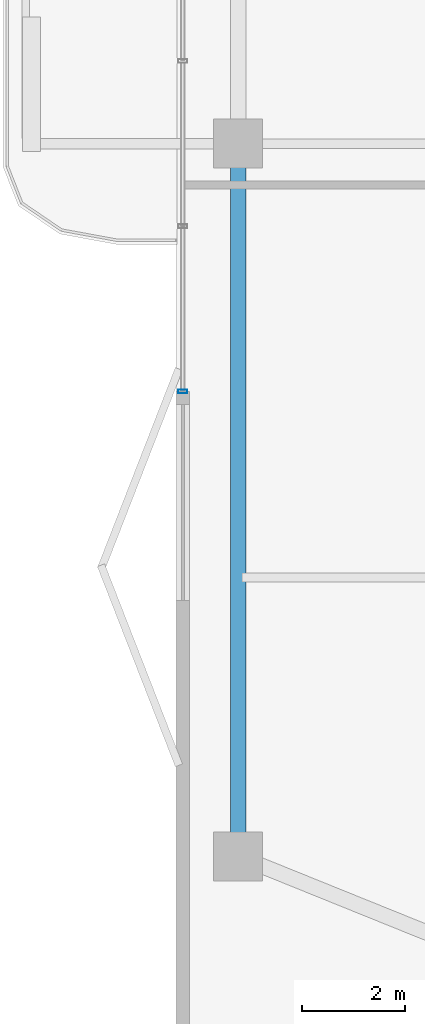
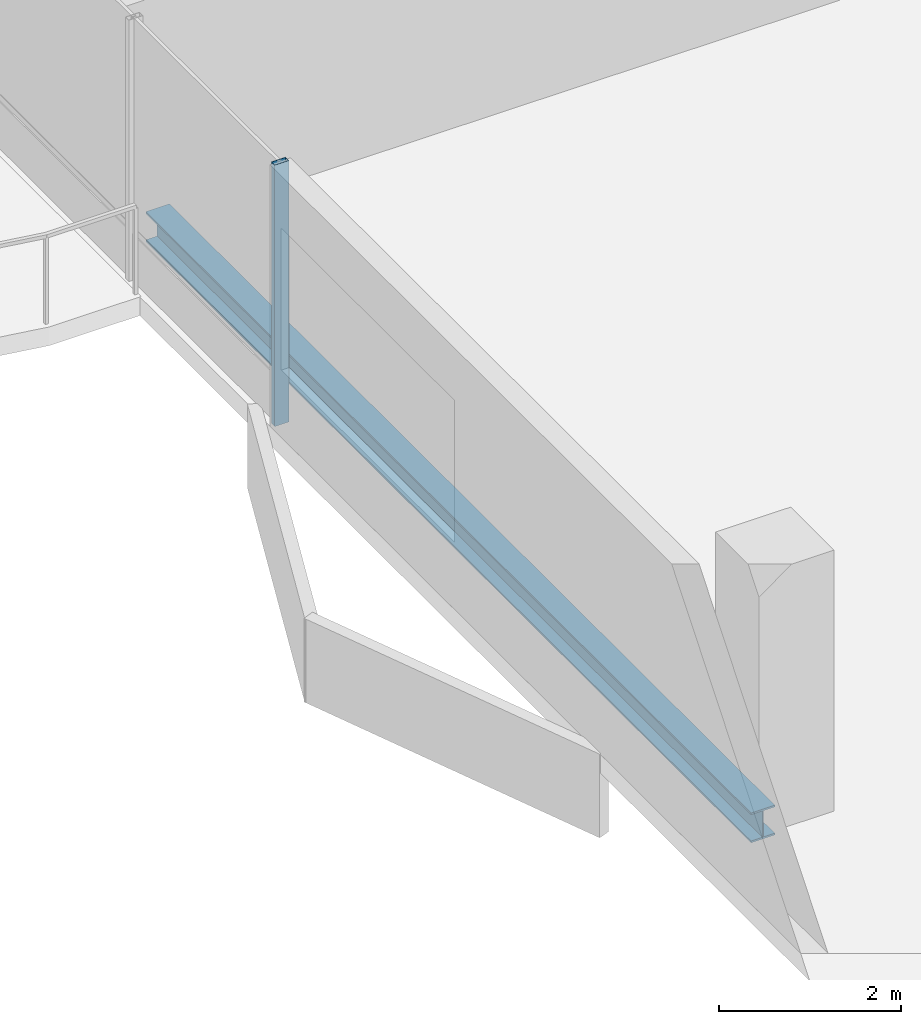
# One storey, part 4 of 23: 1 beam, 1 member, 1 element without a shape of its own.
"""IFC4 building model written with IfcOpenShell, lengths in metres."""

from ifc_helpers import new_model, si_unit, direction, frame, origin, origin_2d, place, context, subcontext, project, spatial, hollow_rectangle, i_section, extrude, material, layer, layer_set, material_profile, profile_set, type_object, element, aggregate, save


model = new_model("IFC4")

# Units and contexts
model_context = context("Model", 3, precision=1e-05, world=origin(), true_north=direction((0.0, 1.0)))
body_context = subcontext(model_context, "Body", "Model", "MODEL_VIEW")
ifc_project = project(units=[si_unit("LENGTHUNIT", "METRE"), si_unit("AREAUNIT", "SQUARE_METRE"), si_unit("VOLUMEUNIT", "CUBIC_METRE"), si_unit("PLANEANGLEUNIT", "RADIAN"), si_unit("MASSUNIT", "GRAM", prefix="KILO")], contexts=[model_context])

# Site, building, storey
site_placement = place(None, origin())
site = spatial("IfcSite", under=ifc_project, at=site_placement, CompositionType="ELEMENT")
building_placement = place(site_placement, origin())
building = spatial("IfcBuilding", under=site, at=building_placement, Name="Belovzor Exchange Tower", CompositionType="ELEMENT")
storey_placement = place(building_placement, frame((0.0, 0.0, 276.60009765625)))
storey = spatial("IfcBuildingStorey", under=building, at=storey_placement, Name="L69", CompositionType="ELEMENT", Elevation=276.60009765625)

# Curtain wall, member
ifc_material_1 = material(Name="Anodised Aluminium Framing", Category="aluminium")
ifc_layer = layer(ifc_material_1, 0.179931640625)
ifc_layer_set = layer_set([ifc_layer], Name="Anodised Aluminium Framing")
curtain_wall_type = type_object("IfcCurtainWallType", Name="Recessed Loggia Low-Iron Triple-Glazed Curtain Wall", PredefinedType="NOTDEFINED", material=ifc_layer_set)
curtain_wall_placement = place(storey_placement, origin())
curtain_wall = element("IfcCurtainWall", 1, at=curtain_wall_placement, inside=storey, type_object=curtain_wall_type, Name="CW3 Recessed Loggia Low-Iron Triple-Glazed Curtain Wall L69", PredefinedType="NOTDEFINED")
ifc_material_2 = material(Name="Steel S355", Category="steel")
ifc_material_profile_1 = material_profile(ifc_material_2, hollow_rectangle(XDim=0.074951171875, YDim=0.179931640625, WallThickness=0.0048828125, at=origin_2d()))
ifc_profile_set_1 = profile_set([ifc_material_profile_1], Name="Steel S355")
member_type = type_object("IfcMemberType", Name="Thermally Broken Curtain Wall Mullion 180x75", PredefinedType="MULLION", material=ifc_profile_set_1)
member_placement = place(storey_placement, frame((4.030029296875, 24.0, 0.0), z_axis=(0.0, 0.0, 1.0), x_axis=(0.0, 1.0, 0.0)))
member = element("IfcMember", 2, at=member_placement, type_object=member_type, Name="CW-M180 Curtain Wall Mullion 1", PredefinedType="MULLION", context=body_context, shape_type="SweptSolid", body=[
    extrude(hollow_rectangle(XDim=0.074951171875, YDim=0.179931640625, WallThickness=0.0048828125, at=origin_2d()), origin(), (0.0, 0.0, 1.0), 3.5),
])
aggregate(curtain_wall, [member])

# Beam
ifc_material_3 = material(Name="Steel S355", Category="steel")
ifc_material_profile_2 = material_profile(ifc_material_3, i_section(OverallWidth=0.300048828125, OverallDepth=0.39990234375, WebThickness=0.013427734375, FlangeThickness=0.02392578125, at=origin_2d()))
ifc_profile_set_2 = profile_set([ifc_material_profile_2], Name="Steel S355")
beam_type = type_object("IfcBeamType", Name="Zone 5 Primary Girder HEB 400", PredefinedType="BEAM", material=ifc_profile_set_2)
beam_placement = place(storey_placement, frame((5.10009765625, 28.5390625, -0.4501953125), z_axis=(0.0, -1.0, 0.0), x_axis=(1.0, 0.0, 0.0)))
element("IfcBeam", 3, at=beam_placement, inside=storey, type_object=beam_type, Name="FG-Z5 Zone 5 Primary Girder HEB 400", PredefinedType="BEAM", context=body_context, shape_type="SweptSolid", body=[
    extrude(i_section(OverallWidth=0.300048828125, OverallDepth=0.39990234375, WebThickness=0.013427734375, FlangeThickness=0.02392578125, at=origin_2d()), origin(), (0.0, 0.0, 1.0), 13.278076171875),
])

save(model, "model.ifc")
